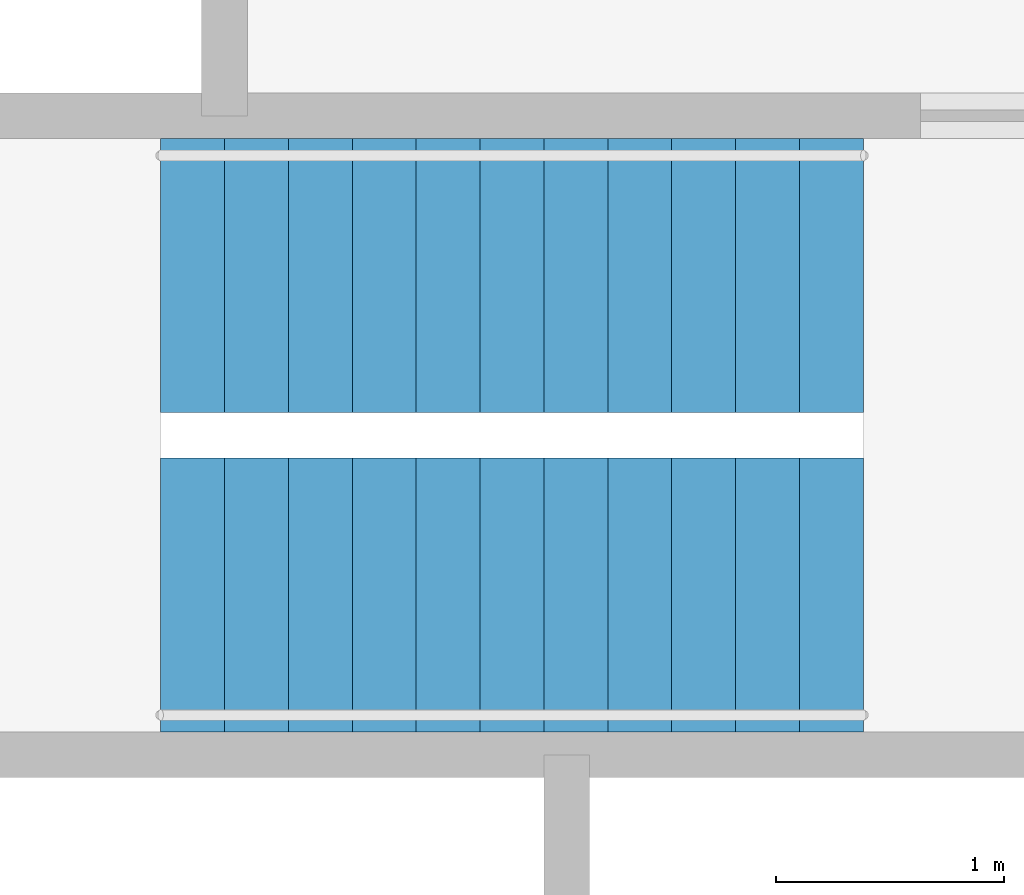
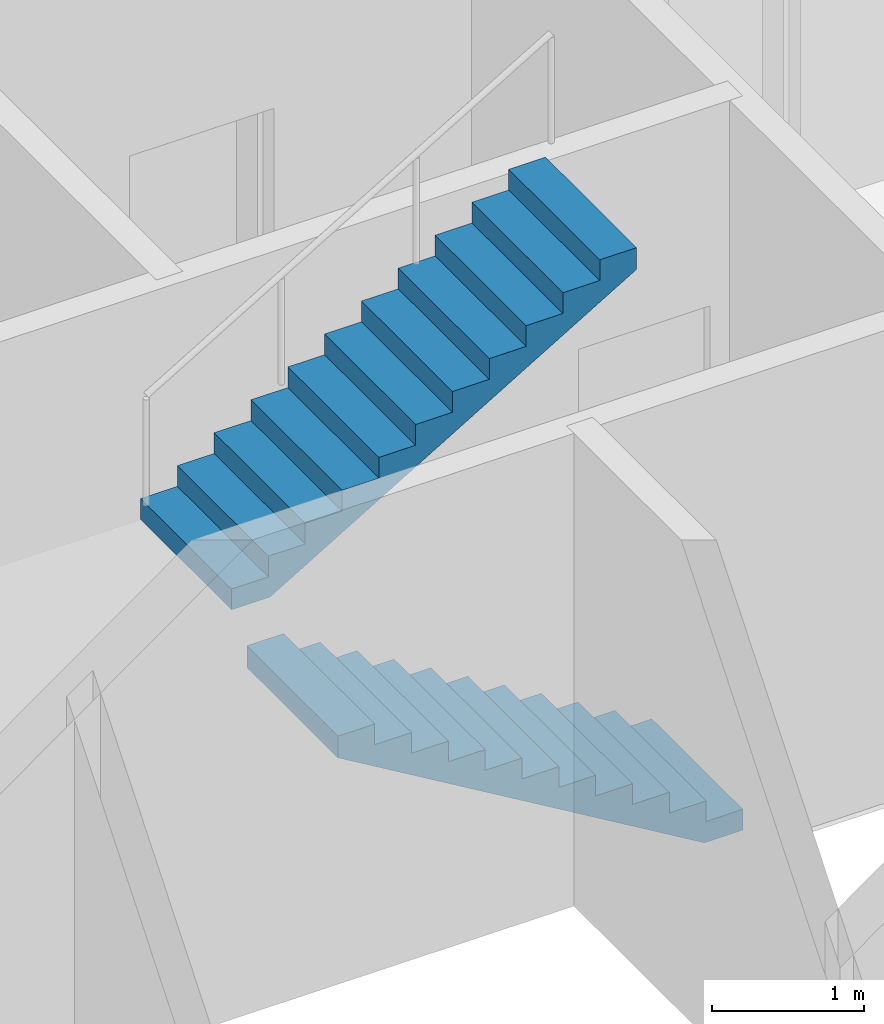
# One storey, part 12 of 14: 2 stair flights, 1 element without a shape of its own.
"""IFC4 building model written with IfcOpenShell, lengths in metres."""

from ifc_helpers import new_model, si_unit, direction, frame, origin, place, context, subcontext, project, spatial, polyline, outline, extrude, material, type_object, element, aggregate, save


model = new_model("IFC4")

# Units and contexts
model_context = context("Model", 3, precision=1e-05, world=origin(), true_north=direction((0.0, 1.0)))
body_context = subcontext(model_context, "Body", "Model", "MODEL_VIEW")
ifc_project = project(units=[si_unit("LENGTHUNIT", "METRE"), si_unit("AREAUNIT", "SQUARE_METRE"), si_unit("VOLUMEUNIT", "CUBIC_METRE"), si_unit("PLANEANGLEUNIT", "RADIAN"), si_unit("MASSUNIT", "GRAM", prefix="KILO")], contexts=[model_context])

# Site, building, storey
site_placement = place(None, origin())
site = spatial("IfcSite", under=ifc_project, at=site_placement, CompositionType="ELEMENT")
building_placement = place(site_placement, origin())
building = spatial("IfcBuilding", under=site, at=building_placement, Name="Fenwick Lantern Interchange", CompositionType="ELEMENT")
storey_placement = place(building_placement, frame((0.0, 0.0, 71.0)))
storey = spatial("IfcBuildingStorey", under=building, at=storey_placement, Name="L16", CompositionType="ELEMENT", Elevation=71.0)

# Stair, stair flights
ifc_material = material(Name="Precast concrete f'c 35 MPa", Category="concrete")
stair_type = type_object("IfcStairType", Name="EXIT STAIR 1200", PredefinedType="HALF_TURN_STAIR", material=ifc_material)
stair_placement = place(storey_placement, origin())
stair = element("IfcStair", 1, at=stair_placement, inside=storey, type_object=stair_type, Name="Exit stair ST2", PredefinedType="HALF_TURN_STAIR")
stair_flight_type = type_object("IfcStairFlightType", Name="STAIR FLIGHT 1200", PredefinedType="STRAIGHT", material=ifc_material)
stair_flight_1_placement = place(storey_placement, frame((28.199951171875, 30.699951171875, 0.0), z_axis=(0.0, 0.0, 1.0), x_axis=(-1.0, 0.0, 0.0)))
stair_flight_1 = element("IfcStairFlight", 2, at=stair_flight_1_placement, type_object=stair_flight_type, Name="ST2 flight 1", NumberOfRisers=12, NumberOfTreads=11, PredefinedType="STRAIGHT", RiserHeight=0.166666667, TreadLength=0.28, context=body_context, shape_type="SweptSolid", body=[
    extrude(outline(polyline([(0.0, 0.0), (0.0, 0.166748046875), (0.280029296875, 0.166748046875), (0.280029296875, 0.333251953125), (0.56005859375, 0.333251953125), (0.56005859375, 0.5), (0.840087890625, 0.5), (0.840087890625, 0.666748046875), (1.1201171875, 0.666748046875), (1.1201171875, 0.833251953125), (1.39990234375, 0.833251953125), (1.39990234375, 1.0), (1.679931640625, 1.0), (1.679931640625, 1.166748046875), (1.9599609375, 1.166748046875), (1.9599609375, 1.333251953125), (2.239990234375, 1.333251953125), (2.239990234375, 1.5), (2.52001953125, 1.5), (2.52001953125, 1.666748046875), (2.800048828125, 1.666748046875), (2.800048828125, 1.833251953125), (3.080078125, 1.833251953125), (3.080078125, 2.0), (3.080078125, 1.658935546875), (0.29296875, 0.0), (0.0, 0.0)])), frame((0.0, 0.60009765625, 0.0), z_axis=(0.0, -1.0, 0.0), x_axis=(1.0, 0.0, 0.0)), (0.0, 0.0, 1.0), 1.199951171875),
])
stair_flight_2_placement = place(storey_placement, frame((25.1201171875, 32.10009765625, 2.0), z_axis=(0.0, 0.0, 1.0), x_axis=(1.0, 0.0, 0.0)))
stair_flight_2 = element("IfcStairFlight", 3, at=stair_flight_2_placement, type_object=stair_flight_type, Name="ST2 flight 2", NumberOfRisers=12, NumberOfTreads=11, PredefinedType="STRAIGHT", RiserHeight=0.166666667, TreadLength=0.28, context=body_context, shape_type="SweptSolid", body=[
    extrude(outline(polyline([(0.0, 0.0), (0.0, 0.166748046875), (0.280029296875, 0.166748046875), (0.280029296875, 0.333251953125), (0.56005859375, 0.333251953125), (0.56005859375, 0.5), (0.840087890625, 0.5), (0.840087890625, 0.666748046875), (1.1201171875, 0.666748046875), (1.1201171875, 0.833251953125), (1.39990234375, 0.833251953125), (1.39990234375, 1.0), (1.679931640625, 1.0), (1.679931640625, 1.166748046875), (1.9599609375, 1.166748046875), (1.9599609375, 1.333251953125), (2.239990234375, 1.333251953125), (2.239990234375, 1.5), (2.52001953125, 1.5), (2.52001953125, 1.666748046875), (2.800048828125, 1.666748046875), (2.800048828125, 1.833251953125), (3.080078125, 1.833251953125), (3.080078125, 2.0), (3.080078125, 1.658935546875), (0.29296875, 0.0), (0.0, 0.0)])), frame((0.0, 0.60009765625, 0.0), z_axis=(0.0, -1.0, 0.0), x_axis=(1.0, 0.0, 0.0)), (0.0, 0.0, 1.0), 1.199951171875),
])
aggregate(stair, [stair_flight_1, stair_flight_2])

save(model, "model.ifc")
